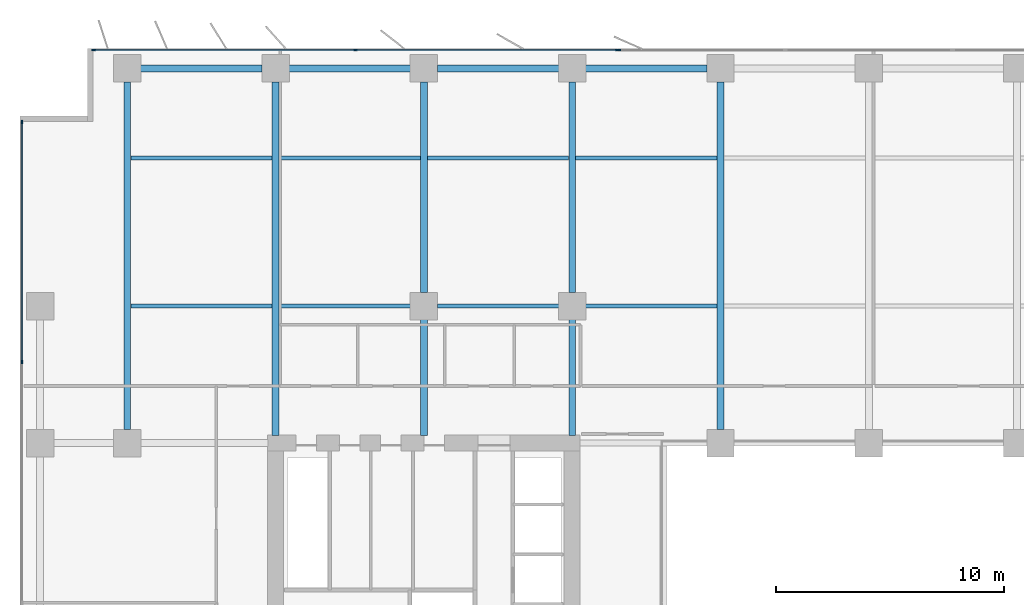
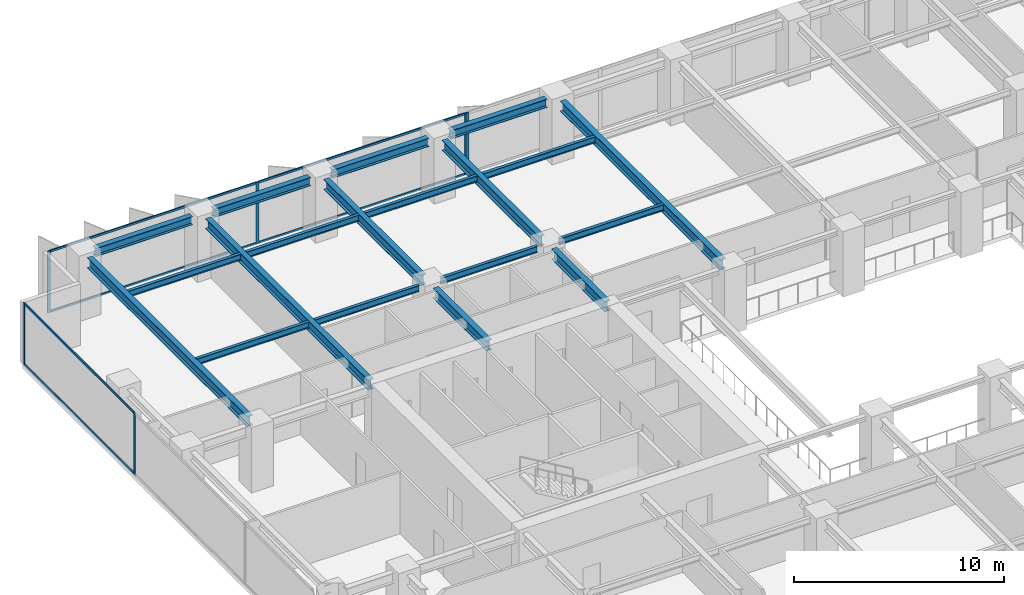
# One storey, part 7 of 20: 19 beams, 12 members, 3 elements without a shape of their own.
"""IFC4 building model written with IfcOpenShell, lengths in metres."""

from ifc_helpers import new_model, si_unit, direction, frame, origin, origin_2d, place, context, subcontext, project, spatial, rectangle, i_section, extrude, material, layer, layer_set, material_profile, profile_set, type_object, element, aggregate, save


model = new_model("IFC4")

# Units and contexts
model_context = context("Model", 3, precision=1e-05, world=origin(), true_north=direction((0.0, 1.0)))
body_context = subcontext(model_context, "Body", "Model", "MODEL_VIEW")
ifc_project = project(units=[si_unit("LENGTHUNIT", "METRE"), si_unit("AREAUNIT", "SQUARE_METRE"), si_unit("VOLUMEUNIT", "CUBIC_METRE"), si_unit("PLANEANGLEUNIT", "RADIAN"), si_unit("MASSUNIT", "GRAM", prefix="KILO")], contexts=[model_context])

# Site, building, storey
site_placement = place(None, origin())
site = spatial("IfcSite", under=ifc_project, at=site_placement, CompositionType="ELEMENT")
building_placement = place(site_placement, origin())
building = spatial("IfcBuilding", under=site, at=building_placement, Name="Putna Gate Headquarters", CompositionType="ELEMENT")
storey_placement = place(building_placement, frame((0.0, 0.0, 108.800048828125)))
storey = spatial("IfcBuildingStorey", under=building, at=storey_placement, Name="L26", CompositionType="ELEMENT", Elevation=108.800048828125)

# Beams
ifc_material_1 = material(Name="Steel S355J2", Category="steel")
ifc_material_profile_1 = material_profile(ifc_material_1, i_section(OverallWidth=0.300048828125, OverallDepth=0.60009765625, WebThickness=0.015380859375, FlangeThickness=0.030029296875, at=origin_2d()), Name="Steel S355J2")
ifc_profile_set_1 = profile_set([ifc_material_profile_1], Name="Steel S355J2")
beam_type_1 = type_object("IfcBeamType", Name="BM-GIRD-Z2-HEB600", PredefinedType="USERDEFINED", material=ifc_profile_set_1)
beam_1_placement = place(storey_placement, frame((6.5, 33.587890625, 3.264892578125), z_axis=(0.0, 1.0, 0.0), x_axis=(-1.0, 0.0, 0.0)))
element("IfcBeam", 1, at=beam_1_placement, inside=storey, type_object=beam_type_1, Name="L26 North Primary Girder X6", ObjectType="GIRDER", PredefinedType="USERDEFINED", context=body_context, shape_type="SweptSolid", body=[
    extrude(i_section(OverallWidth=0.300048828125, OverallDepth=0.60009765625, WebThickness=0.015380859375, FlangeThickness=0.030029296875, at=origin_2d()), origin(), (0.0, 0.0, 1.0), 15.244140625),
])
beam_2_placement = place(storey_placement, frame((13.0, 33.3349609375, 3.264892578125), z_axis=(0.0, 1.0, 0.0), x_axis=(-1.0, 0.0, 0.0)))
element("IfcBeam", 2, at=beam_2_placement, inside=storey, type_object=beam_type_1, Name="L26 North Primary Girder X13", ObjectType="GIRDER", PredefinedType="USERDEFINED", context=body_context, shape_type="SweptSolid", body=[
    extrude(i_section(OverallWidth=0.300048828125, OverallDepth=0.60009765625, WebThickness=0.015380859375, FlangeThickness=0.030029296875, at=origin_2d()), origin(), (0.0, 0.0, 1.0), 15.4970703125),
])
beam_3_placement = place(storey_placement, frame((19.5, 33.3349609375, 3.264892578125), z_axis=(0.0, 1.0, 0.0), x_axis=(-1.0, 0.0, 0.0)))
element("IfcBeam", 3, at=beam_3_placement, inside=storey, type_object=beam_type_1, Name="L26 North Primary Girder X19-1", ObjectType="GIRDER", PredefinedType="USERDEFINED", context=body_context, shape_type="SweptSolid", body=[
    extrude(i_section(OverallWidth=0.300048828125, OverallDepth=0.60009765625, WebThickness=0.015380859375, FlangeThickness=0.030029296875, at=origin_2d()), origin(), (0.0, 0.0, 1.0), 5.0771484375),
])
beam_4_placement = place(storey_placement, frame((19.5, 39.587890625, 3.264892578125), z_axis=(0.0, 1.0, 0.0), x_axis=(-1.0, 0.0, 0.0)))
element("IfcBeam", 4, at=beam_4_placement, inside=storey, type_object=beam_type_1, Name="L26 North Primary Girder X19-2", ObjectType="GIRDER", PredefinedType="USERDEFINED", context=body_context, shape_type="SweptSolid", body=[
    extrude(i_section(OverallWidth=0.300048828125, OverallDepth=0.60009765625, WebThickness=0.015380859375, FlangeThickness=0.030029296875, at=origin_2d()), origin(), (0.0, 0.0, 1.0), 9.244140625),
])
beam_5_placement = place(storey_placement, frame((26.0, 33.3349609375, 3.264892578125), z_axis=(0.0, 1.0, 0.0), x_axis=(-1.0, 0.0, 0.0)))
element("IfcBeam", 5, at=beam_5_placement, inside=storey, type_object=beam_type_1, Name="L26 North Primary Girder X26-1", ObjectType="GIRDER", PredefinedType="USERDEFINED", context=body_context, shape_type="SweptSolid", body=[
    extrude(i_section(OverallWidth=0.300048828125, OverallDepth=0.60009765625, WebThickness=0.015380859375, FlangeThickness=0.030029296875, at=origin_2d()), origin(), (0.0, 0.0, 1.0), 5.0771484375),
])
beam_6_placement = place(storey_placement, frame((26.0, 39.587890625, 3.264892578125), z_axis=(0.0, 1.0, 0.0), x_axis=(-1.0, 0.0, 0.0)))
element("IfcBeam", 6, at=beam_6_placement, inside=storey, type_object=beam_type_1, Name="L26 North Primary Girder X26-2", ObjectType="GIRDER", PredefinedType="USERDEFINED", context=body_context, shape_type="SweptSolid", body=[
    extrude(i_section(OverallWidth=0.300048828125, OverallDepth=0.60009765625, WebThickness=0.015380859375, FlangeThickness=0.030029296875, at=origin_2d()), origin(), (0.0, 0.0, 1.0), 9.244140625),
])
beam_7_placement = place(storey_placement, frame((32.5, 33.587890625, 3.264892578125), z_axis=(0.0, 1.0, 0.0), x_axis=(-1.0, 0.0, 0.0)))
element("IfcBeam", 7, at=beam_7_placement, inside=storey, type_object=beam_type_1, Name="L26 North Primary Girder X32", ObjectType="GIRDER", PredefinedType="USERDEFINED", context=body_context, shape_type="SweptSolid", body=[
    extrude(i_section(OverallWidth=0.300048828125, OverallDepth=0.60009765625, WebThickness=0.015380859375, FlangeThickness=0.030029296875, at=origin_2d()), origin(), (0.0, 0.0, 1.0), 15.244140625),
])
ifc_material_profile_2 = material_profile(ifc_material_1, i_section(OverallWidth=0.169921875, OverallDepth=0.360107421875, WebThickness=0.008056640625, FlangeThickness=0.0126953125, at=origin_2d()), Name="Steel S355J2")
ifc_profile_set_2 = profile_set([ifc_material_profile_2], Name="Steel S355J2")
beam_type_2 = type_object("IfcBeamType", Name="BM-SEC-Z2-IPE360", PredefinedType="BEAM", material=ifc_profile_set_2)
for number, where, z_axis, x_axis, name in (
    (8, (6.654052734375, 39.0, 3.385009765625), (1.0, 0.0, 0.0), (0.0, 1.0, 0.0), "L26 North Secondary Beam 1"),
    (9, (6.654052734375, 45.5, 3.385009765625), (1.0, 0.0, 0.0), (0.0, 1.0, 0.0), "L26 North Secondary Beam 1"),
):
    element("IfcBeam", number, at=place(storey_placement, frame(where, z_axis=z_axis, x_axis=x_axis)), inside=storey, type_object=beam_type_2, Name=name, PredefinedType="BEAM", context=body_context, shape_type="SweptSolid", body=[
        extrude(i_section(OverallWidth=0.169921875, OverallDepth=0.360107421875, WebThickness=0.008056640625, FlangeThickness=0.0126953125, at=origin_2d()), origin(), (0.0, 0.0, 1.0), 6.19189453125),
    ])
beam_8_placement = place(storey_placement, frame((13.154052734375, 39.0, 3.385009765625), z_axis=(1.0, 0.0, 0.0), x_axis=(0.0, 1.0, 0.0)))
element("IfcBeam", 10, at=beam_8_placement, inside=storey, type_object=beam_type_2, Name="L26 North Secondary Beam 2", PredefinedType="BEAM", context=body_context, shape_type="SweptSolid", body=[
    extrude(i_section(OverallWidth=0.169921875, OverallDepth=0.360107421875, WebThickness=0.008056640625, FlangeThickness=0.0126953125, at=origin_2d()), origin(), (0.0, 0.0, 1.0), 5.758056640625),
])
beam_9_placement = place(storey_placement, frame((13.154052734375, 45.5, 3.385009765625), z_axis=(1.0, 0.0, 0.0), x_axis=(0.0, 1.0, 0.0)))
element("IfcBeam", 11, at=beam_9_placement, inside=storey, type_object=beam_type_2, Name="L26 North Secondary Beam 2", PredefinedType="BEAM", context=body_context, shape_type="SweptSolid", body=[
    extrude(i_section(OverallWidth=0.169921875, OverallDepth=0.360107421875, WebThickness=0.008056640625, FlangeThickness=0.0126953125, at=origin_2d()), origin(), (0.0, 0.0, 1.0), 6.19189453125),
])
beam_10_placement = place(storey_placement, frame((20.087890625, 39.0, 3.385009765625), z_axis=(1.0, 0.0, 0.0), x_axis=(0.0, 1.0, 0.0)))
element("IfcBeam", 12, at=beam_10_placement, inside=storey, type_object=beam_type_2, Name="L26 North Secondary Beam 3", PredefinedType="BEAM", context=body_context, shape_type="SweptSolid", body=[
    extrude(i_section(OverallWidth=0.169921875, OverallDepth=0.360107421875, WebThickness=0.008056640625, FlangeThickness=0.0126953125, at=origin_2d()), origin(), (0.0, 0.0, 1.0), 5.32421875),
])
beam_11_placement = place(storey_placement, frame((19.654052734375, 45.5, 3.385009765625), z_axis=(1.0, 0.0, 0.0), x_axis=(0.0, 1.0, 0.0)))
element("IfcBeam", 13, at=beam_11_placement, inside=storey, type_object=beam_type_2, Name="L26 North Secondary Beam 3", PredefinedType="BEAM", context=body_context, shape_type="SweptSolid", body=[
    extrude(i_section(OverallWidth=0.169921875, OverallDepth=0.360107421875, WebThickness=0.008056640625, FlangeThickness=0.0126953125, at=origin_2d()), origin(), (0.0, 0.0, 1.0), 6.19189453125),
])
beam_12_placement = place(storey_placement, frame((26.587890625, 39.0, 3.385009765625), z_axis=(1.0, 0.0, 0.0), x_axis=(0.0, 1.0, 0.0)))
element("IfcBeam", 14, at=beam_12_placement, inside=storey, type_object=beam_type_2, Name="L26 North Secondary Beam 4", PredefinedType="BEAM", context=body_context, shape_type="SweptSolid", body=[
    extrude(i_section(OverallWidth=0.169921875, OverallDepth=0.360107421875, WebThickness=0.008056640625, FlangeThickness=0.0126953125, at=origin_2d()), origin(), (0.0, 0.0, 1.0), 5.758056640625),
])
beam_13_placement = place(storey_placement, frame((26.154052734375, 45.5, 3.385009765625), z_axis=(1.0, 0.0, 0.0), x_axis=(0.0, 1.0, 0.0)))
element("IfcBeam", 15, at=beam_13_placement, inside=storey, type_object=beam_type_2, Name="L26 North Secondary Beam 4", PredefinedType="BEAM", context=body_context, shape_type="SweptSolid", body=[
    extrude(i_section(OverallWidth=0.169921875, OverallDepth=0.360107421875, WebThickness=0.008056640625, FlangeThickness=0.0126953125, at=origin_2d()), origin(), (0.0, 0.0, 1.0), 6.19189453125),
])
ifc_material_profile_3 = material_profile(ifc_material_1, i_section(OverallWidth=0.300048828125, OverallDepth=0.489990234375, WebThickness=0.011962890625, FlangeThickness=0.02294921875, at=origin_2d()), Name="Steel S355J2")
ifc_profile_set_3 = profile_set([ifc_material_profile_3], Name="Steel S355J2")
beam_type_3 = type_object("IfcBeamType", Name="BM-SPAN-Z2-HEA500", PredefinedType="SPANDREL", material=ifc_profile_set_3)
for number, where, z_axis, x_axis, name in (
    (16, (7.087890625, 49.419921875, 3.320068359375), (1.0, 0.0, 0.0), (0.0, 1.0, 0.0), "L26 N Perimeter Spandrel 1"),
    (17, (13.587890625, 49.419921875, 3.320068359375), (1.0, 0.0, 0.0), (0.0, 1.0, 0.0), "L26 N Perimeter Spandrel 2"),
    (18, (20.087890625, 49.419921875, 3.320068359375), (1.0, 0.0, 0.0), (0.0, 1.0, 0.0), "L26 N Perimeter Spandrel 3"),
    (19, (26.587890625, 49.419921875, 3.320068359375), (1.0, 0.0, 0.0), (0.0, 1.0, 0.0), "L26 N Perimeter Spandrel 4"),
):
    element("IfcBeam", number, at=place(storey_placement, frame(where, z_axis=z_axis, x_axis=x_axis)), inside=storey, type_object=beam_type_3, Name=name, PredefinedType="SPANDREL", context=body_context, shape_type="SweptSolid", body=[
        extrude(i_section(OverallWidth=0.300048828125, OverallDepth=0.489990234375, WebThickness=0.011962890625, FlangeThickness=0.02294921875, at=origin_2d()), origin(), (0.0, 0.0, 1.0), 5.32421875),
    ])

# Curtain wall, members
ifc_material_2 = material(Name="Anodised bronze aluminium curtain wall", Category="aluminium")
ifc_layer_1 = layer(ifc_material_2, 0.159912109375)
ifc_layer_set_1 = layer_set([ifc_layer_1], Name="Anodised bronze aluminium curtain wall")
curtain_wall_type_1 = type_object("IfcCurtainWallType", Name="CW-SYS-Z2", PredefinedType="USERDEFINED", material=ifc_layer_set_1)
curtain_wall_1_placement = place(storey_placement, origin())
curtain_wall_1 = element("IfcCurtainWall", 20, at=curtain_wall_1_placement, inside=storey, type_object=curtain_wall_type_1, Name="L26 North West Curtain Wall", ObjectType="STICK CURTAIN WALL", PredefinedType="USERDEFINED")
ifc_material_3 = material(Name="Anodised bronze aluminium EN AW-6060", Category="aluminium")
ifc_material_profile_4 = material_profile(ifc_material_3, rectangle(XDim=0.06494140625, YDim=0.159912109375, at=origin_2d()), Name="Anodised bronze aluminium EN AW-6060")
ifc_profile_set_4 = profile_set([ifc_material_profile_4], Name="Anodised bronze aluminium EN AW-6060")
member_type_1 = type_object("IfcMemberType", Name="MULL-CWM-2", PredefinedType="MULLION", material=ifc_profile_set_4)
member_1_placement = place(storey_placement, frame((5.032470703125, 50.219970703125, 0.0), z_axis=(0.0, 0.0, 1.0), x_axis=(0.0, 1.0, 0.0)))
member_1 = element("IfcMember", 21, at=member_1_placement, type_object=member_type_1, Name="CWS-2 mullion 1", PredefinedType="MULLION", context=body_context, shape_type="SweptSolid", body=[
    extrude(rectangle(XDim=0.06494140625, YDim=0.159912109375, at=origin_2d()), origin(), (0.0, 0.0, 1.0), 3.56494140625),
])
member_2_placement = place(storey_placement, frame((16.5, 50.219970703125, 0.0), z_axis=(0.0, 0.0, 1.0), x_axis=(0.0, 1.0, 0.0)))
member_2 = element("IfcMember", 22, at=member_2_placement, type_object=member_type_1, Name="CWS-2 mullion 2", PredefinedType="MULLION", context=body_context, shape_type="SweptSolid", body=[
    extrude(rectangle(XDim=0.06494140625, YDim=0.159912109375, at=origin_2d()), origin(), (0.0, 0.0, 1.0), 3.56494140625),
])
member_3_placement = place(storey_placement, frame((27.967529296875, 50.219970703125, 0.0), z_axis=(0.0, 0.0, 1.0), x_axis=(0.0, 1.0, 0.0)))
member_3 = element("IfcMember", 23, at=member_3_placement, type_object=member_type_1, Name="CWS-2 mullion 3", PredefinedType="MULLION", context=body_context, shape_type="SweptSolid", body=[
    extrude(rectangle(XDim=0.06494140625, YDim=0.159912109375, at=origin_2d()), origin(), (0.0, 0.0, 1.0), 3.56494140625),
])

curtain_wall_2_placement = place(storey_placement, origin())
curtain_wall_2 = element("IfcCurtainWall", 24, at=curtain_wall_2_placement, inside=storey, type_object=curtain_wall_type_1, Name="L26 West Curtain Wall", ObjectType="STICK CURTAIN WALL", PredefinedType="USERDEFINED")
member_4_placement = place(storey_placement, frame((1.8798828125, 36.550048828125, 0.0), z_axis=(0.0, 0.0, 1.0), x_axis=(-1.0, 0.0, 0.0)))
member_4 = element("IfcMember", 25, at=member_4_placement, type_object=member_type_1, Name="CWS-2 mullion 4", PredefinedType="MULLION", context=body_context, shape_type="SweptSolid", body=[
    extrude(rectangle(XDim=0.06494140625, YDim=0.159912109375, at=origin_2d()), origin(), (0.0, 0.0, 1.0), 3.56494140625),
])
member_5_placement = place(storey_placement, frame((1.8798828125, 47.0673828125, 0.0), z_axis=(0.0, 0.0, 1.0), x_axis=(-1.0, 0.0, 0.0)))
member_5 = element("IfcMember", 26, at=member_5_placement, type_object=member_type_1, Name="CWS-2 mullion 5", PredefinedType="MULLION", context=body_context, shape_type="SweptSolid", body=[
    extrude(rectangle(XDim=0.06494140625, YDim=0.159912109375, at=origin_2d()), origin(), (0.0, 0.0, 1.0), 3.56494140625),
])

# Curtain wall, member
ifc_layer_2 = layer(ifc_material_2, 0.179931640625)
ifc_layer_set_2 = layer_set([ifc_layer_2], Name="Anodised bronze aluminium curtain wall")
curtain_wall_type_2 = type_object("IfcCurtainWallType", Name="CW-SYS-ATR", PredefinedType="USERDEFINED", material=ifc_layer_set_2)
curtain_wall_3_placement = place(storey_placement, origin())
curtain_wall_3 = element("IfcCurtainWall", 27, at=curtain_wall_3_placement, inside=storey, type_object=curtain_wall_type_2, Name="L26 North Atrium Clear Glazing", ObjectType="ATRIUM GLAZING", PredefinedType="USERDEFINED")
ifc_material_profile_5 = material_profile(ifc_material_3, rectangle(XDim=0.070068359375, YDim=0.179931640625, at=origin_2d()), Name="Anodised bronze aluminium EN AW-6060")
ifc_profile_set_5 = profile_set([ifc_material_profile_5], Name="Anodised bronze aluminium EN AW-6060")
member_type_2 = type_object("IfcMemberType", Name="MULL-CWM-AT", PredefinedType="MULLION", material=ifc_profile_set_5)
member_6_placement = place(storey_placement, frame((28.034912109375, 50.219970703125, 0.0), z_axis=(0.0, 0.0, 1.0), x_axis=(0.0, 1.0, 0.0)))
member_6 = element("IfcMember", 28, at=member_6_placement, type_object=member_type_2, Name="CWS-AT mullion 1", PredefinedType="MULLION", context=body_context, shape_type="SweptSolid", body=[
    extrude(rectangle(XDim=0.070068359375, YDim=0.179931640625, at=origin_2d()), origin(), (0.0, 0.0, 1.0), 3.56494140625),
])
aggregate(curtain_wall_3, [member_6])

# Member
ifc_material_profile_6 = material_profile(ifc_material_3, rectangle(XDim=0.06494140625, YDim=0.1201171875, at=origin_2d()), Name="Anodised bronze aluminium EN AW-6060")
ifc_profile_set_6 = profile_set([ifc_material_profile_6], Name="Anodised bronze aluminium EN AW-6060")
member_type_3 = type_object("IfcMemberType", Name="TRAN-CWT-2", PredefinedType="USERDEFINED", material=ifc_profile_set_6)
member_7_placement = place(storey_placement, frame((5.06494140625, 50.219970703125, 0.032470703125), z_axis=(1.0, 0.0, 0.0), x_axis=(0.0, 1.0, 0.0)))
member_7 = element("IfcMember", 29, at=member_7_placement, type_object=member_type_3, Name="CWS-2 transom 1.1", ObjectType="TRANSOM", PredefinedType="USERDEFINED", context=body_context, shape_type="SweptSolid", body=[
    extrude(rectangle(XDim=0.06494140625, YDim=0.1201171875, at=origin_2d()), origin(), (0.0, 0.0, 1.0), 11.402587890625),
])

member_8_placement = place(storey_placement, frame((5.06494140625, 50.219970703125, 3.532470703125), z_axis=(1.0, 0.0, 0.0), x_axis=(0.0, 1.0, 0.0)))
member_8 = element("IfcMember", 30, at=member_8_placement, type_object=member_type_3, Name="CWS-2 transom 1.2", ObjectType="TRANSOM", PredefinedType="USERDEFINED", context=body_context, shape_type="SweptSolid", body=[
    extrude(rectangle(XDim=0.06494140625, YDim=0.1201171875, at=origin_2d()), origin(), (0.0, 0.0, 1.0), 11.402587890625),
])

member_9_placement = place(storey_placement, frame((16.532470703125, 50.219970703125, 0.032470703125), z_axis=(1.0, 0.0, 0.0), x_axis=(0.0, 1.0, 0.0)))
member_9 = element("IfcMember", 31, at=member_9_placement, type_object=member_type_3, Name="CWS-2 transom 2.1", ObjectType="TRANSOM", PredefinedType="USERDEFINED", context=body_context, shape_type="SweptSolid", body=[
    extrude(rectangle(XDim=0.06494140625, YDim=0.1201171875, at=origin_2d()), origin(), (0.0, 0.0, 1.0), 11.402587890625),
])

member_10_placement = place(storey_placement, frame((16.532470703125, 50.219970703125, 3.532470703125), z_axis=(1.0, 0.0, 0.0), x_axis=(0.0, 1.0, 0.0)))
member_10 = element("IfcMember", 32, at=member_10_placement, type_object=member_type_3, Name="CWS-2 transom 2.2", ObjectType="TRANSOM", PredefinedType="USERDEFINED", context=body_context, shape_type="SweptSolid", body=[
    extrude(rectangle(XDim=0.06494140625, YDim=0.1201171875, at=origin_2d()), origin(), (0.0, 0.0, 1.0), 11.402587890625),
])

aggregate(curtain_wall_1, [member_1, member_2, member_3, member_7, member_8, member_9, member_10])

member_11_placement = place(storey_placement, frame((1.8798828125, 36.58251953125, 0.032470703125), z_axis=(0.0, 1.0, 0.0), x_axis=(-1.0, 0.0, 0.0)))
member_11 = element("IfcMember", 33, at=member_11_placement, type_object=member_type_3, Name="CWS-2 transom 4.1", ObjectType="TRANSOM", PredefinedType="USERDEFINED", context=body_context, shape_type="SweptSolid", body=[
    extrude(rectangle(XDim=0.06494140625, YDim=0.1201171875, at=origin_2d()), origin(), (0.0, 0.0, 1.0), 10.452392578125),
])

member_12_placement = place(storey_placement, frame((1.8798828125, 36.58251953125, 3.532470703125), z_axis=(0.0, 1.0, 0.0), x_axis=(-1.0, 0.0, 0.0)))
member_12 = element("IfcMember", 34, at=member_12_placement, type_object=member_type_3, Name="CWS-2 transom 4.2", ObjectType="TRANSOM", PredefinedType="USERDEFINED", context=body_context, shape_type="SweptSolid", body=[
    extrude(rectangle(XDim=0.06494140625, YDim=0.1201171875, at=origin_2d()), origin(), (0.0, 0.0, 1.0), 10.452392578125),
])

aggregate(curtain_wall_2, [member_4, member_5, member_11, member_12])

save(model, "model.ifc")
